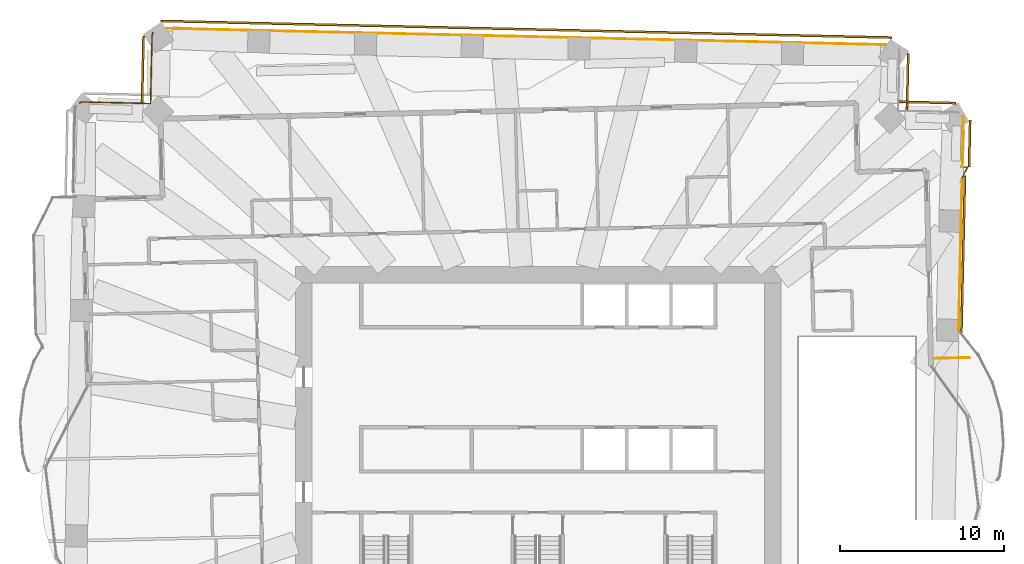
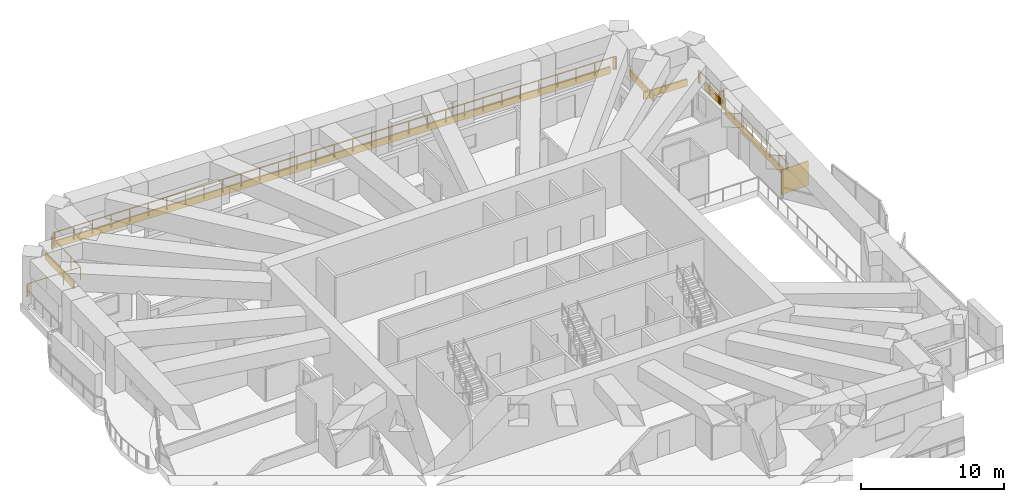
# One storey, part 20 of 21: 6 coverings, 5 railings, 1 shading device.
"""IFC4 building model written with IfcOpenShell, lengths in metres."""

from ifc_helpers import new_model, si_unit, direction, frame, frame_2d, origin, origin_2d, place, context, subcontext, project, spatial, rectangle, extrude, material, layer, layer_set, type_object, element, save


model = new_model("IFC4")

# Units and contexts
model_context = context("Model", 3, precision=1e-05, world=origin(), true_north=direction((0.0, 1.0)))
body_context = subcontext(model_context, "Body", "Model", "MODEL_VIEW")
ifc_project = project(units=[si_unit("LENGTHUNIT", "METRE"), si_unit("AREAUNIT", "SQUARE_METRE"), si_unit("VOLUMEUNIT", "CUBIC_METRE"), si_unit("PLANEANGLEUNIT", "RADIAN"), si_unit("MASSUNIT", "GRAM", prefix="KILO")], contexts=[model_context])

# Site, building, storey
site_placement = place(None, origin())
site = spatial("IfcSite", under=ifc_project, at=site_placement, CompositionType="ELEMENT")
building_placement = place(site_placement, origin())
building = spatial("IfcBuilding", under=site, at=building_placement, Name="Mangrove Gate Tower", CompositionType="ELEMENT")
storey_placement = place(building_placement, frame((0.0, 0.0, 125.5)))
storey = spatial("IfcBuildingStorey", under=building, at=storey_placement, Name="L31", CompositionType="ELEMENT", Elevation=125.5)

# Railings
ifc_material_1 = material(Name="Stainless steel grade 316 with laminated glass infill", Category="steel")
railing_type = type_object("IfcRailingType", Name="Balcony guard 1100", PredefinedType="GUARDRAIL", material=ifc_material_1)
railing_1_placement = place(storey_placement, frame((25.84912109375, 17.173095703125, 0.0)))
element("IfcRailing", 1, at=railing_1_placement, inside=storey, type_object=railing_type, Name="GUARD L31 E2", PredefinedType="GUARDRAIL", context=body_context, shape_type="SweptSolid", body=[
    extrude(rectangle(XDim=0.048095703125, YDim=0.048095703125, at=origin_2d()), frame((0.0, 0.0, 1.076171875), z_axis=(0.446723296999, 0.894672172317, 0.0), x_axis=(-0.894672172317, 0.446723296999, 0.0)), (0.0, 0.0, 1.0), 0.796875),
    extrude(rectangle(XDim=0.048095703125, YDim=0.048095703125, at=origin_2d()), frame((0.35595703125, 0.712890625, 1.076171875), z_axis=(-0.999768839572, -0.021500405152, 0.0), x_axis=(0.021500405152, -0.999768839572, 0.0)), (0.0, 0.0, 1.0), 0.22705078125),
    extrude(rectangle(XDim=0.0419921875, YDim=0.0419921875, at=origin_2d()), origin(), (0.0, 0.0, 1.0), 1.052001953125),
    extrude(rectangle(XDim=0.0419921875, YDim=0.0419921875, at=origin_2d()), frame((0.35595703125, 0.712890625, 0.0)), (0.0, 0.0, 1.0), 1.052001953125),
    extrude(rectangle(XDim=0.0419921875, YDim=0.0419921875, at=origin_2d()), frame((0.12890625, 0.7080078125, 0.0)), (0.0, 0.0, 1.0), 1.052001953125),
])
railing_2_placement = place(storey_placement, frame((-27.969970703125, 21.802978515625, 0.0)))
element("IfcRailing", 2, at=railing_2_placement, inside=storey, type_object=railing_type, Name="GUARD L31 T1.2", PredefinedType="GUARDRAIL", context=body_context, shape_type="SweptSolid", body=[
    extrude(rectangle(XDim=0.048095703125, YDim=0.048095703125, at=origin_2d()), frame((0.0, 0.0, 1.076171875), z_axis=(0.901385111422, 0.43301833784, 0.0), x_axis=(-0.43301833784, 0.901385111422, 0.0)), (0.0, 0.0, 1.0), 0.027587890625),
    extrude(rectangle(XDim=0.048095703125, YDim=0.048095703125, at=origin_2d()), frame((0.02490234375, 0.011962890625, 1.076171875), z_axis=(0.952079874491, 0.30584949336, 0.0), x_axis=(-0.30584949336, 0.952079874491, 0.0)), (0.0, 0.0, 1.0), 0.049560546875),
    extrude(rectangle(XDim=0.048095703125, YDim=0.048095703125, at=origin_2d()), frame((0.072021484375, 0.027099609375, 1.076171875), z_axis=(0.974642013371, 0.223769850009, 0.0), x_axis=(-0.223769850009, 0.974642013371, 0.0)), (0.0, 0.0, 1.0), 0.049072265625),
    extrude(rectangle(XDim=0.048095703125, YDim=0.048095703125, at=origin_2d()), frame((0.119873046875, 0.0380859375, 1.076171875), z_axis=(0.992660638295, 0.120933275731, 0.0), x_axis=(-0.120933275731, 0.992660638295, 0.0)), (0.0, 0.0, 1.0), 0.04833984375),
    extrude(rectangle(XDim=0.048095703125, YDim=0.048095703125, at=origin_2d()), frame((0.16796875, 0.0439453125, 1.076171875), z_axis=(0.999037678801, 0.043860190777, 0.0), x_axis=(-0.043860190777, 0.999037678801, 0.0)), (0.0, 0.0, 1.0), 0.050048828125),
    extrude(rectangle(XDim=0.048095703125, YDim=0.048095703125, at=origin_2d()), frame((0.218017578125, 0.046142578125, 1.076171875), z_axis=(0.999740971319, -0.022759399502, 0.0), x_axis=(0.022759399502, 0.999740971319, 0.0)), (0.0, 0.0, 1.0), 4.0869140625),
    extrude(rectangle(XDim=0.048095703125, YDim=0.048095703125, at=origin_2d()), frame((4.303955078125, -0.046875, 1.076171875), z_axis=(1.0, 0.0, 0.0), x_axis=(0.0, 1.0, 0.0)), (0.0, 0.0, 1.0), 0.011962890625),
    extrude(rectangle(XDim=0.048095703125, YDim=0.048095703125, at=origin_2d()), frame((4.31591796875, -0.046875, 1.076171875), z_axis=(0.081362009455, 0.996684615823, 0.0), x_axis=(-0.996684615823, 0.081362009455, 0.0)), (0.0, 0.0, 1.0), 0.011962890625),
    extrude(rectangle(XDim=0.048095703125, YDim=0.048095703125, at=origin_2d()), frame((4.31689453125, -0.034912109375, 1.076171875), z_axis=(0.022520577505, 0.999746379633, 0.0), x_axis=(-0.999746379633, 0.022520577505, 0.0)), (0.0, 0.0, 1.0), 4.0869140625),
    extrude(rectangle(XDim=0.048095703125, YDim=0.048095703125, at=origin_2d()), frame((4.408935546875, 4.051025390625, 1.076171875), z_axis=(0.084276225487, 0.996442430759, 0.0), x_axis=(-0.996442430759, 0.084276225487, 0.0)), (0.0, 0.0, 1.0), 0.04931640625),
    extrude(rectangle(XDim=0.048095703125, YDim=0.048095703125, at=origin_2d()), frame((4.4130859375, 4.10009765625, 1.076171875), z_axis=(0.157990501107, 0.987440631917, 0.0), x_axis=(-0.987440631917, 0.157990501107, 0.0)), (0.0, 0.0, 1.0), 0.049560546875),
    extrude(rectangle(XDim=0.048095703125, YDim=0.048095703125, at=origin_2d()), frame((4.4208984375, 4.14892578125, 1.076171875), z_axis=(0.269444841931, 0.963015823939, 0.0), x_axis=(-0.963015823939, 0.269444841931, 0.0)), (0.0, 0.0, 1.0), 0.048828125),
    extrude(rectangle(XDim=0.048095703125, YDim=0.048095703125, at=origin_2d()), frame((4.43408203125, 4.196044921875, 1.076171875), z_axis=(0.361967648779, 0.932190657129, 0.0), x_axis=(-0.932190657129, 0.361967648779, 0.0)), (0.0, 0.0, 1.0), 0.04931640625),
    extrude(rectangle(XDim=0.048095703125, YDim=0.048095703125, at=origin_2d()), frame((4.451904296875, 4.241943359375, 1.076171875), z_axis=(0.429593233056, 0.903022510302, 0.0), x_axis=(-0.903022510302, 0.429593233056, 0.0)), (0.0, 0.0, 1.0), 0.02783203125),
    extrude(rectangle(XDim=0.0419921875, YDim=0.0419921875, at=origin_2d()), origin(), (0.0, 0.0, 1.0), 1.052001953125),
    extrude(rectangle(XDim=0.0419921875, YDim=0.0419921875, at=origin_2d()), frame((0.02490234375, 0.011962890625, 0.0)), (0.0, 0.0, 1.0), 1.052001953125),
    extrude(rectangle(XDim=0.0419921875, YDim=0.0419921875, at=origin_2d()), frame((0.072021484375, 0.027099609375, 0.0)), (0.0, 0.0, 1.0), 1.052001953125),
    extrude(rectangle(XDim=0.0419921875, YDim=0.0419921875, at=origin_2d()), frame((0.119873046875, 0.0380859375, 0.0)), (0.0, 0.0, 1.0), 1.052001953125),
    extrude(rectangle(XDim=0.0419921875, YDim=0.0419921875, at=origin_2d()), frame((0.16796875, 0.0439453125, 0.0)), (0.0, 0.0, 1.0), 1.052001953125),
    extrude(rectangle(XDim=0.0419921875, YDim=0.0419921875, at=origin_2d()), frame((0.218017578125, 0.046142578125, 0.0)), (0.0, 0.0, 1.0), 1.052001953125),
    extrude(rectangle(XDim=0.0419921875, YDim=0.0419921875, at=origin_2d()), frame((1.580078125, 0.01513671875, 0.0)), (0.0, 0.0, 1.0), 1.052001953125),
    extrude(rectangle(XDim=0.0419921875, YDim=0.0419921875, at=origin_2d()), frame((2.94189453125, -0.015869140625, 0.0)), (0.0, 0.0, 1.0), 1.052001953125),
    extrude(rectangle(XDim=0.0419921875, YDim=0.0419921875, at=origin_2d()), frame((4.303955078125, -0.046875, 0.0)), (0.0, 0.0, 1.0), 1.052001953125),
    extrude(rectangle(XDim=0.0419921875, YDim=0.0419921875, at=origin_2d()), frame((4.31591796875, -0.046875, 0.0)), (0.0, 0.0, 1.0), 1.052001953125),
    extrude(rectangle(XDim=0.0419921875, YDim=0.0419921875, at=origin_2d()), frame((4.31689453125, -0.034912109375, 0.0)), (0.0, 0.0, 1.0), 1.052001953125),
    extrude(rectangle(XDim=0.0419921875, YDim=0.0419921875, at=origin_2d()), frame((4.34765625, 1.3271484375, 0.0)), (0.0, 0.0, 1.0), 1.052001953125),
    extrude(rectangle(XDim=0.0419921875, YDim=0.0419921875, at=origin_2d()), frame((4.378173828125, 2.68896484375, 0.0)), (0.0, 0.0, 1.0), 1.052001953125),
    extrude(rectangle(XDim=0.0419921875, YDim=0.0419921875, at=origin_2d()), frame((4.408935546875, 4.051025390625, 0.0)), (0.0, 0.0, 1.0), 1.052001953125),
    extrude(rectangle(XDim=0.0419921875, YDim=0.0419921875, at=origin_2d()), frame((4.4130859375, 4.10009765625, 0.0)), (0.0, 0.0, 1.0), 1.052001953125),
    extrude(rectangle(XDim=0.0419921875, YDim=0.0419921875, at=origin_2d()), frame((4.4208984375, 4.14892578125, 0.0)), (0.0, 0.0, 1.0), 1.052001953125),
    extrude(rectangle(XDim=0.0419921875, YDim=0.0419921875, at=origin_2d()), frame((4.43408203125, 4.196044921875, 0.0)), (0.0, 0.0, 1.0), 1.052001953125),
    extrude(rectangle(XDim=0.0419921875, YDim=0.0419921875, at=origin_2d()), frame((4.451904296875, 4.241943359375, 0.0)), (0.0, 0.0, 1.0), 1.052001953125),
    extrude(rectangle(XDim=0.0419921875, YDim=0.0419921875, at=origin_2d()), frame((4.4638671875, 4.26708984375, 0.0)), (0.0, 0.0, 1.0), 1.052001953125),
])
railing_3_placement = place(storey_placement, frame((-23.26708984375, 26.298095703125, 0.0)))
element("IfcRailing", 3, at=railing_3_placement, inside=storey, type_object=railing_type, Name="GUARD L31 T1.3", PredefinedType="GUARDRAIL", context=body_context, shape_type="SweptSolid", body=[
    extrude(rectangle(XDim=0.048095703125, YDim=0.048095703125, at=origin_2d()), frame((0.0, 0.0, 1.076171875), z_axis=(0.921797458045, 0.38767182815, 0.0), x_axis=(-0.38767182815, 0.921797458045, 0.0)), (0.0, 0.0, 1.0), 0.0283203125),
    extrude(rectangle(XDim=0.048095703125, YDim=0.048095703125, at=origin_2d()), frame((0.026123046875, 0.010986328125, 1.076171875), z_axis=(0.945105546445, 0.326765215526, 0.0), x_axis=(-0.326765215526, 0.945105546445, 0.0)), (0.0, 0.0, 1.0), 0.048583984375),
    extrude(rectangle(XDim=0.048095703125, YDim=0.048095703125, at=origin_2d()), frame((0.072021484375, 0.02685546875, 1.076171875), z_axis=(0.974889210585, 0.222690428814, 0.0), x_axis=(-0.222690428814, 0.974889210585, 0.0)), (0.0, 0.0, 1.0), 0.04931640625),
    extrude(rectangle(XDim=0.048095703125, YDim=0.048095703125, at=origin_2d()), frame((0.1201171875, 0.037841796875, 1.076171875), z_axis=(0.992353645783, 0.123427070371, 0.0), x_axis=(-0.123427070371, 0.992353645783, 0.0)), (0.0, 0.0, 1.0), 0.049560546875),
    extrude(rectangle(XDim=0.048095703125, YDim=0.048095703125, at=origin_2d()), frame((0.169189453125, 0.0439453125, 1.076171875), z_axis=(0.99980005998, 0.0199960012, 0.0), x_axis=(-0.0199960012, 0.99980005998, 0.0)), (0.0, 0.0, 1.0), 0.048828125),
    extrude(rectangle(XDim=0.048095703125, YDim=0.048095703125, at=origin_2d()), frame((0.218017578125, 0.044921875, 1.076171875), z_axis=(0.999742643016, -0.022685848791, 0.0), x_axis=(0.022685848791, 0.999742643016, 0.0)), (0.0, 0.0, 1.0), 44.607666015625),
    extrude(rectangle(XDim=0.048095703125, YDim=0.048095703125, at=origin_2d()), frame((44.814208984375, -0.967041015625, 1.076171875), z_axis=(0.996406958115, -0.08469459144, 0.0), x_axis=(0.08469459144, 0.996406958115, 0.0)), (0.0, 0.0, 1.0), 0.049072265625),
    extrude(rectangle(XDim=0.048095703125, YDim=0.048095703125, at=origin_2d()), frame((44.863037109375, -0.97119140625, 1.076171875), z_axis=(0.987562974012, -0.157223956062, 0.0), x_axis=(0.157223956062, 0.987562974012, 0.0)), (0.0, 0.0, 1.0), 0.0498046875),
    extrude(rectangle(XDim=0.048095703125, YDim=0.048095703125, at=origin_2d()), frame((44.912109375, -0.97900390625, 1.076171875), z_axis=(0.962650940154, -0.270745576918, 0.0), x_axis=(0.270745576918, 0.962650940154, 0.0)), (0.0, 0.0, 1.0), 0.048583984375),
    extrude(rectangle(XDim=0.048095703125, YDim=0.048095703125, at=origin_2d()), frame((44.958984375, -0.9921875, 1.076171875), z_axis=(0.93935731982, -0.342939973903, 0.0), x_axis=(0.342939973903, 0.93935731982, 0.0)), (0.0, 0.0, 1.0), 0.049072265625),
    extrude(rectangle(XDim=0.048095703125, YDim=0.048095703125, at=origin_2d()), frame((45.005126953125, -1.009033203125, 1.076171875), z_axis=(0.883787916347, -0.467887720419, 0.0), x_axis=(0.467887720419, 0.883787916347, 0.0)), (0.0, 0.0, 1.0), 0.028076171875),
    extrude(rectangle(XDim=0.0419921875, YDim=0.0419921875, at=origin_2d()), origin(), (0.0, 0.0, 1.0), 1.052001953125),
    extrude(rectangle(XDim=0.0419921875, YDim=0.0419921875, at=origin_2d()), frame((0.026123046875, 0.010986328125, 0.0)), (0.0, 0.0, 1.0), 1.052001953125),
    extrude(rectangle(XDim=0.0419921875, YDim=0.0419921875, at=origin_2d()), frame((0.072021484375, 0.02685546875, 0.0)), (0.0, 0.0, 1.0), 1.052001953125),
    extrude(rectangle(XDim=0.0419921875, YDim=0.0419921875, at=origin_2d()), frame((0.1201171875, 0.037841796875, 0.0)), (0.0, 0.0, 1.0), 1.052001953125),
    extrude(rectangle(XDim=0.0419921875, YDim=0.0419921875, at=origin_2d()), frame((0.169189453125, 0.0439453125, 0.0)), (0.0, 0.0, 1.0), 1.052001953125),
    extrude(rectangle(XDim=0.0419921875, YDim=0.0419921875, at=origin_2d()), frame((0.218017578125, 0.044921875, 0.0)), (0.0, 0.0, 1.0), 1.052001953125),
    extrude(rectangle(XDim=0.0419921875, YDim=0.0419921875, at=origin_2d()), frame((1.70458984375, 0.01123046875, 0.0)), (0.0, 0.0, 1.0), 1.052001953125),
    extrude(rectangle(XDim=0.0419921875, YDim=0.0419921875, at=origin_2d()), frame((3.191162109375, -0.0224609375, 0.0)), (0.0, 0.0, 1.0), 1.052001953125),
    extrude(rectangle(XDim=0.0419921875, YDim=0.0419921875, at=origin_2d()), frame((4.677734375, -0.05615234375, 0.0)), (0.0, 0.0, 1.0), 1.052001953125),
    extrude(rectangle(XDim=0.0419921875, YDim=0.0419921875, at=origin_2d()), frame((6.1640625, -0.090087890625, 0.0)), (0.0, 0.0, 1.0), 1.052001953125),
    extrude(rectangle(XDim=0.0419921875, YDim=0.0419921875, at=origin_2d()), frame((7.650634765625, -0.123779296875, 0.0)), (0.0, 0.0, 1.0), 1.052001953125),
    extrude(rectangle(XDim=0.0419921875, YDim=0.0419921875, at=origin_2d()), frame((9.13720703125, -0.157470703125, 0.0)), (0.0, 0.0, 1.0), 1.052001953125),
    extrude(rectangle(XDim=0.0419921875, YDim=0.0419921875, at=origin_2d()), frame((10.623779296875, -0.191162109375, 0.0)), (0.0, 0.0, 1.0), 1.052001953125),
    extrude(rectangle(XDim=0.0419921875, YDim=0.0419921875, at=origin_2d()), frame((12.1103515625, -0.224853515625, 0.0)), (0.0, 0.0, 1.0), 1.052001953125),
    extrude(rectangle(XDim=0.0419921875, YDim=0.0419921875, at=origin_2d()), frame((13.596923828125, -0.2587890625, 0.0)), (0.0, 0.0, 1.0), 1.052001953125),
    extrude(rectangle(XDim=0.0419921875, YDim=0.0419921875, at=origin_2d()), frame((15.08349609375, -0.29248046875, 0.0)), (0.0, 0.0, 1.0), 1.052001953125),
    extrude(rectangle(XDim=0.0419921875, YDim=0.0419921875, at=origin_2d()), frame((16.570068359375, -0.326171875, 0.0)), (0.0, 0.0, 1.0), 1.052001953125),
    extrude(rectangle(XDim=0.0419921875, YDim=0.0419921875, at=origin_2d()), frame((18.056396484375, -0.35986328125, 0.0)), (0.0, 0.0, 1.0), 1.052001953125),
    extrude(rectangle(XDim=0.0419921875, YDim=0.0419921875, at=origin_2d()), frame((19.54296875, -0.3935546875, 0.0)), (0.0, 0.0, 1.0), 1.052001953125),
    extrude(rectangle(XDim=0.0419921875, YDim=0.0419921875, at=origin_2d()), frame((21.029541015625, -0.42724609375, 0.0)), (0.0, 0.0, 1.0), 1.052001953125),
    extrude(rectangle(XDim=0.0419921875, YDim=0.0419921875, at=origin_2d()), frame((22.51611328125, -0.4609375, 0.0)), (0.0, 0.0, 1.0), 1.052001953125),
    extrude(rectangle(XDim=0.0419921875, YDim=0.0419921875, at=origin_2d()), frame((24.002685546875, -0.494873046875, 0.0)), (0.0, 0.0, 1.0), 1.052001953125),
    extrude(rectangle(XDim=0.0419921875, YDim=0.0419921875, at=origin_2d()), frame((25.4892578125, -0.528564453125, 0.0)), (0.0, 0.0, 1.0), 1.052001953125),
    extrude(rectangle(XDim=0.0419921875, YDim=0.0419921875, at=origin_2d()), frame((26.975830078125, -0.562255859375, 0.0)), (0.0, 0.0, 1.0), 1.052001953125),
    extrude(rectangle(XDim=0.0419921875, YDim=0.0419921875, at=origin_2d()), frame((28.462158203125, -0.595947265625, 0.0)), (0.0, 0.0, 1.0), 1.052001953125),
    extrude(rectangle(XDim=0.0419921875, YDim=0.0419921875, at=origin_2d()), frame((29.94873046875, -0.629638671875, 0.0)), (0.0, 0.0, 1.0), 1.052001953125),
    extrude(rectangle(XDim=0.0419921875, YDim=0.0419921875, at=origin_2d()), frame((31.435302734375, -0.66357421875, 0.0)), (0.0, 0.0, 1.0), 1.052001953125),
    extrude(rectangle(XDim=0.0419921875, YDim=0.0419921875, at=origin_2d()), frame((32.921875, -0.697265625, 0.0)), (0.0, 0.0, 1.0), 1.052001953125),
    extrude(rectangle(XDim=0.0419921875, YDim=0.0419921875, at=origin_2d()), frame((34.408447265625, -0.73095703125, 0.0)), (0.0, 0.0, 1.0), 1.052001953125),
    extrude(rectangle(XDim=0.0419921875, YDim=0.0419921875, at=origin_2d()), frame((35.89501953125, -0.7646484375, 0.0)), (0.0, 0.0, 1.0), 1.052001953125),
    extrude(rectangle(XDim=0.0419921875, YDim=0.0419921875, at=origin_2d()), frame((37.381591796875, -0.79833984375, 0.0)), (0.0, 0.0, 1.0), 1.052001953125),
    extrude(rectangle(XDim=0.0419921875, YDim=0.0419921875, at=origin_2d()), frame((38.8681640625, -0.83203125, 0.0)), (0.0, 0.0, 1.0), 1.052001953125),
    extrude(rectangle(XDim=0.0419921875, YDim=0.0419921875, at=origin_2d()), frame((40.3544921875, -0.86572265625, 0.0)), (0.0, 0.0, 1.0), 1.052001953125),
    extrude(rectangle(XDim=0.0419921875, YDim=0.0419921875, at=origin_2d()), frame((41.841064453125, -0.899658203125, 0.0)), (0.0, 0.0, 1.0), 1.052001953125),
    extrude(rectangle(XDim=0.0419921875, YDim=0.0419921875, at=origin_2d()), frame((43.32763671875, -0.933349609375, 0.0)), (0.0, 0.0, 1.0), 1.052001953125),
    extrude(rectangle(XDim=0.0419921875, YDim=0.0419921875, at=origin_2d()), frame((44.814208984375, -0.967041015625, 0.0)), (0.0, 0.0, 1.0), 1.052001953125),
    extrude(rectangle(XDim=0.0419921875, YDim=0.0419921875, at=origin_2d()), frame((44.863037109375, -0.97119140625, 0.0)), (0.0, 0.0, 1.0), 1.052001953125),
    extrude(rectangle(XDim=0.0419921875, YDim=0.0419921875, at=origin_2d()), frame((44.912109375, -0.97900390625, 0.0)), (0.0, 0.0, 1.0), 1.052001953125),
    extrude(rectangle(XDim=0.0419921875, YDim=0.0419921875, at=origin_2d()), frame((44.958984375, -0.9921875, 0.0)), (0.0, 0.0, 1.0), 1.052001953125),
    extrude(rectangle(XDim=0.0419921875, YDim=0.0419921875, at=origin_2d()), frame((45.005126953125, -1.009033203125, 0.0)), (0.0, 0.0, 1.0), 1.052001953125),
    extrude(rectangle(XDim=0.0419921875, YDim=0.0419921875, at=origin_2d()), frame((45.030029296875, -1.022216796875, 0.0)), (0.0, 0.0, 1.0), 1.052001953125),
])
railing_4_placement = place(storey_placement, frame((25.89892578125, 20.947998046875, 0.0)))
element("IfcRailing", 4, at=railing_4_placement, inside=storey, type_object=railing_type, Name="GUARD L31 T1.5", PredefinedType="GUARDRAIL", context=body_context, shape_type="SweptSolid", body=[
    extrude(rectangle(XDim=0.048095703125, YDim=0.048095703125, at=origin_2d()), frame((0.0, 0.0, 1.076171875), z_axis=(0.390772844543, -0.920487144923, 0.0), x_axis=(0.920487144923, 0.390772844543, 0.0)), (0.0, 0.0, 1.0), 0.028076171875),
    extrude(rectangle(XDim=0.048095703125, YDim=0.048095703125, at=origin_2d()), frame((0.010986328125, -0.02587890625, 1.076171875), z_axis=(0.329682832837, -0.944091748578, 0.0), x_axis=(0.944091748578, 0.329682832837, 0.0)), (0.0, 0.0, 1.0), 0.048828125),
    extrude(rectangle(XDim=0.048095703125, YDim=0.048095703125, at=origin_2d()), frame((0.027099609375, -0.072021484375, 1.076171875), z_axis=(0.222690428814, -0.974889210585, 0.0), x_axis=(0.974889210585, 0.222690428814, 0.0)), (0.0, 0.0, 1.0), 0.04931640625),
    extrude(rectangle(XDim=0.048095703125, YDim=0.048095703125, at=origin_2d()), frame((0.0380859375, -0.1201171875, 1.076171875), z_axis=(0.124034734589, -0.992277876714, 0.0), x_axis=(0.992277876714, 0.124034734589, 0.0)), (0.0, 0.0, 1.0), 0.04931640625),
    extrude(rectangle(XDim=0.048095703125, YDim=0.048095703125, at=origin_2d()), frame((0.044189453125, -0.1689453125, 1.076171875), z_axis=(0.019896558087, -0.999802043895, 0.0), x_axis=(0.999802043895, 0.019896558087, 0.0)), (0.0, 0.0, 1.0), 0.049072265625),
    extrude(rectangle(XDim=0.048095703125, YDim=0.048095703125, at=origin_2d()), frame((0.045166015625, -0.218017578125, 1.076171875), z_axis=(-0.022674403536, -0.999742902663, 0.0), x_axis=(0.999742902663, -0.022674403536, 0.0)), (0.0, 0.0, 1.0), 2.831787109375),
    extrude(rectangle(XDim=0.048095703125, YDim=0.048095703125, at=origin_2d()), frame((-0.01904296875, -3.049072265625, 1.076171875), z_axis=(-0.999807821657, -0.019604074934, 0.0), x_axis=(0.019604074934, -0.999807821657, 0.0)), (0.0, 0.0, 1.0), 0.0498046875),
    extrude(rectangle(XDim=0.0419921875, YDim=0.0419921875, at=origin_2d()), origin(), (0.0, 0.0, 1.0), 1.052001953125),
    extrude(rectangle(XDim=0.0419921875, YDim=0.0419921875, at=origin_2d()), frame((0.010986328125, -0.02587890625, 0.0)), (0.0, 0.0, 1.0), 1.052001953125),
    extrude(rectangle(XDim=0.0419921875, YDim=0.0419921875, at=origin_2d()), frame((0.027099609375, -0.072021484375, 0.0)), (0.0, 0.0, 1.0), 1.052001953125),
    extrude(rectangle(XDim=0.0419921875, YDim=0.0419921875, at=origin_2d()), frame((0.0380859375, -0.1201171875, 0.0)), (0.0, 0.0, 1.0), 1.052001953125),
    extrude(rectangle(XDim=0.0419921875, YDim=0.0419921875, at=origin_2d()), frame((0.044189453125, -0.1689453125, 0.0)), (0.0, 0.0, 1.0), 1.052001953125),
    extrude(rectangle(XDim=0.0419921875, YDim=0.0419921875, at=origin_2d()), frame((0.045166015625, -0.218017578125, 0.0)), (0.0, 0.0, 1.0), 1.052001953125),
    extrude(rectangle(XDim=0.0419921875, YDim=0.0419921875, at=origin_2d()), frame((0.01318359375, -1.633544921875, 0.0)), (0.0, 0.0, 1.0), 1.052001953125),
    extrude(rectangle(XDim=0.0419921875, YDim=0.0419921875, at=origin_2d()), frame((-0.01904296875, -3.049072265625, 0.0)), (0.0, 0.0, 1.0), 1.052001953125),
    extrude(rectangle(XDim=0.0419921875, YDim=0.0419921875, at=origin_2d()), frame((-0.06884765625, -3.050048828125, 0.0)), (0.0, 0.0, 1.0), 1.052001953125),
])
railing_5_placement = place(storey_placement, frame((25.80908203125, 16.969970703125, 0.0)))
element("IfcRailing", 5, at=railing_5_placement, inside=storey, type_object=railing_type, Name="GUARD L31 T2.2", PredefinedType="GUARDRAIL", context=body_context, shape_type="SweptSolid", body=[
    extrude(rectangle(XDim=0.048095703125, YDim=0.048095703125, at=origin_2d()), frame((0.0, 0.0, 1.076171875), z_axis=(0.4472135955, 0.894427191, 0.0), x_axis=(-0.894427191, 0.4472135955, 0.0)), (0.0, 0.0, 1.0), 0.1162109375),
    extrude(rectangle(XDim=0.048095703125, YDim=0.048095703125, at=origin_2d()), frame((0.052001953125, 0.10400390625, 1.076171875), z_axis=(-0.022719588143, -0.999741876844, 0.0), x_axis=(0.999741876844, -0.022719588143, 0.0)), (0.0, 0.0, 1.0), 9.155517578125),
    extrude(rectangle(XDim=0.0419921875, YDim=0.0419921875, at=origin_2d()), origin(), (0.0, 0.0, 1.0), 1.052001953125),
    extrude(rectangle(XDim=0.0419921875, YDim=0.0419921875, at=origin_2d()), frame((0.052001953125, 0.10400390625, 0.0)), (0.0, 0.0, 1.0), 1.052001953125),
    extrude(rectangle(XDim=0.0419921875, YDim=0.0419921875, at=origin_2d()), frame((0.022216796875, -1.20361328125, 0.0)), (0.0, 0.0, 1.0), 1.052001953125),
    extrude(rectangle(XDim=0.0419921875, YDim=0.0419921875, at=origin_2d()), frame((-0.00732421875, -2.51123046875, 0.0)), (0.0, 0.0, 1.0), 1.052001953125),
    extrude(rectangle(XDim=0.0419921875, YDim=0.0419921875, at=origin_2d()), frame((-0.037109375, -3.81884765625, 0.0)), (0.0, 0.0, 1.0), 1.052001953125),
    extrude(rectangle(XDim=0.0419921875, YDim=0.0419921875, at=origin_2d()), frame((-0.06689453125, -5.126220703125, 0.0)), (0.0, 0.0, 1.0), 1.052001953125),
    extrude(rectangle(XDim=0.0419921875, YDim=0.0419921875, at=origin_2d()), frame((-0.0966796875, -6.433837890625, 0.0)), (0.0, 0.0, 1.0), 1.052001953125),
    extrude(rectangle(XDim=0.0419921875, YDim=0.0419921875, at=origin_2d()), frame((-0.126220703125, -7.741455078125, 0.0)), (0.0, 0.0, 1.0), 1.052001953125),
    extrude(rectangle(XDim=0.0419921875, YDim=0.0419921875, at=origin_2d()), frame((-0.156005859375, -9.049072265625, 0.0)), (0.0, 0.0, 1.0), 1.052001953125),
])

# Shading device
ifc_material_2 = material(Name="Timber slat screen in teak", Category="wood")
shading_device_type = type_object("IfcShadingDeviceType", Name="Balcony screen 2100", PredefinedType="USERDEFINED", material=ifc_material_2)
shading_device_placement = place(storey_placement, frame((25.218017578125, 6.22607421875, 0.0), z_axis=(0.0, 0.0, 1.0), x_axis=(0.999736234843, 0.022966513488, 0.0)))
element("IfcShadingDevice", 6, at=shading_device_placement, inside=storey, type_object=shading_device_type, Name="SCREEN L31 E1", ObjectType="SCREEN", PredefinedType="USERDEFINED", context=body_context, shape_type="SweptSolid", body=[
    extrude(rectangle(XDim=2.195068359375, YDim=0.050048828125, at=origin_2d()), origin(), (0.0, 0.0, 1.0), 2.10009765625),
])

# Coverings
ifc_material_3 = material(Name="Limestone", Category="masonry")
ifc_layer_1 = layer(ifc_material_3, 0.0400390625, Name="Limestone cladding")
ifc_material_4 = material(Name="Stainless steel anchors and cavity", Category="steel")
ifc_layer_2 = layer(ifc_material_4, 0.080078125, Name="Fixing cavity")
ifc_layer_set = layer_set([ifc_layer_1, ifc_layer_2], Name="Joint fascia cladding 120")
covering_type = type_object("IfcCoveringType", Name="Joint fascia cladding 120", PredefinedType="CLADDING", material=ifc_layer_set)
covering_1_placement = place(storey_placement, frame((-24.17333984375, 21.767578125, -0.60009765625), z_axis=(0.0, 0.0, 1.0), x_axis=(0.022749814403, 0.999741189481, 0.0)))
element("IfcCovering", 7, at=covering_1_placement, inside=storey, type_object=covering_type, Name="STONE FASCIA L31 TB31-2.2", PredefinedType="CLADDING", context=body_context, shape_type="SweptSolid", body=[
    extrude(rectangle(XDim=4.099365234375, YDim=0.1201171875, at=frame_2d((2.0498046875, 0.0))), origin(), (0.0, 0.0, 1.0), 0.60009765625),
])
covering_2_placement = place(storey_placement, frame((-23.0390625, 26.791015625, -0.60009765625), z_axis=(0.0, 0.0, 1.0), x_axis=(0.999742640199, -0.022685972921, 0.0)))
element("IfcCovering", 8, at=covering_2_placement, inside=storey, type_object=covering_type, Name="STONE FASCIA L31 TB31-3.1", PredefinedType="CLADDING", context=body_context, shape_type="SweptSolid", body=[
    extrude(rectangle(XDim=44.607421875, YDim=0.1201171875, at=frame_2d((22.3037109375, 0.0))), origin(), (0.0, 0.0, 1.0), 0.60009765625),
])
covering_3_placement = place(storey_placement, frame((22.575927734375, 24.806884765625, -0.60009765625), z_axis=(0.0, 0.0, 1.0), x_axis=(-0.022951178363, -0.999736587013, 0.0)))
element("IfcCovering", 9, at=covering_3_placement, inside=storey, type_object=covering_type, Name="STONE FASCIA L31 TB31-4.1", PredefinedType="CLADDING", context=body_context, shape_type="SweptSolid", body=[
    extrude(rectangle(XDim=3.499755859375, YDim=0.1201171875, at=frame_2d((1.75, 0.0))), origin(), (0.0, 0.0, 1.0), 0.60009765625),
])
covering_4_placement = place(storey_placement, frame((21.968994140625, 21.8603515625, -0.60009765625), z_axis=(0.0, 0.0, 1.0), x_axis=(0.999742986656, -0.022670699879, 0.0)))
element("IfcCovering", 10, at=covering_4_placement, inside=storey, type_object=covering_type, Name="STONE FASCIA L31 TB31-4.2", PredefinedType="CLADDING", context=body_context, shape_type="SweptSolid", body=[
    extrude(rectangle(XDim=3.5, YDim=0.1201171875, at=frame_2d((1.75, 0.0))), origin(), (0.0, 0.0, 1.0), 0.60009765625),
])
covering_5_placement = place(storey_placement, frame((26.35009765625, 20.720947265625, -0.60009765625), z_axis=(0.0, 0.0, 1.0), x_axis=(-0.022666588794, -0.999743079872, 0.0)))
element("IfcCovering", 11, at=covering_5_placement, inside=storey, type_object=covering_type, Name="STONE FASCIA L31 TB31-5.1", PredefinedType="CLADDING", context=body_context, shape_type="SweptSolid", body=[
    extrude(rectangle(XDim=2.832763671875, YDim=0.1201171875, at=frame_2d((1.41650390625, 0.0))), origin(), (0.0, 0.0, 1.0), 0.60009765625),
])
covering_6_placement = place(storey_placement, frame((26.035400390625, 17.35107421875, -0.60009765625), z_axis=(0.0, 0.0, 1.0), x_axis=(-0.022665869055, -0.99974309619, 0.0)))
element("IfcCovering", 12, at=covering_6_placement, inside=storey, type_object=covering_type, Name="STONE FASCIA L31 TB32-2.1", PredefinedType="CLADDING", context=body_context, shape_type="SweptSolid", body=[
    extrude(rectangle(XDim=9.58642578125, YDim=0.1201171875, at=frame_2d((4.793212890625, 0.0))), origin(), (0.0, 0.0, 1.0), 0.60009765625),
])

save(model, "model.ifc")
